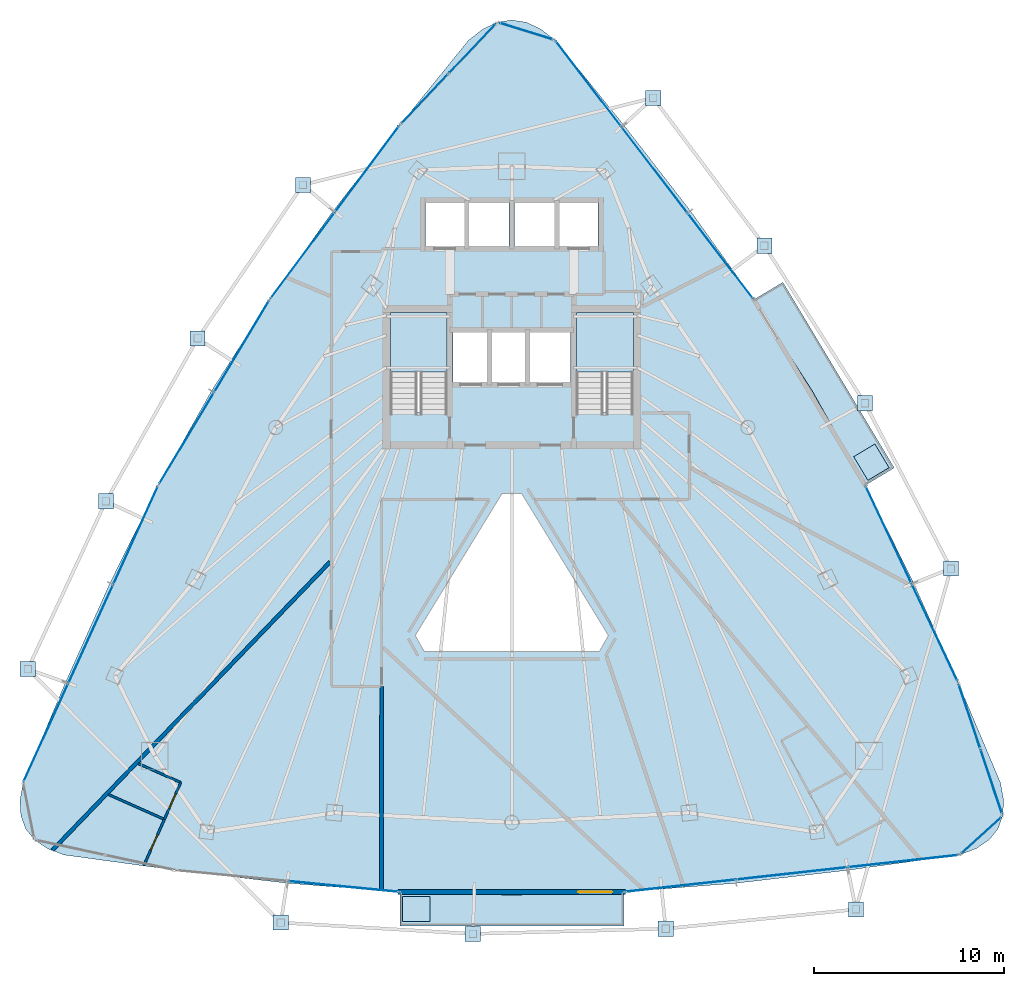
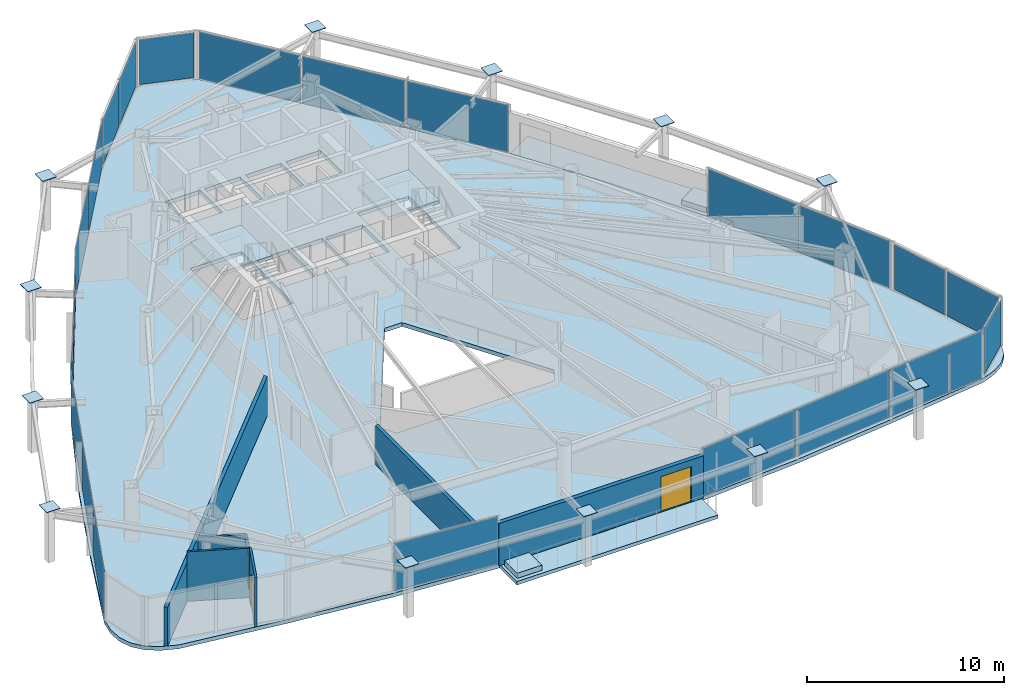
# One storey, part 26 of 31: 34 plates, 7 slabs, 7 walls, 3 doors, 3 openings, 13 elements without a shape of their own.
"""IFC4 building model written with IfcOpenShell, lengths in metres."""

from ifc_helpers import new_model, si_unit, direction, frame, frame_2d, origin, origin_2d, place, context, subcontext, project, spatial, polyline, rectangle, outline, extrude, material, layer, layer_set, type_object, element, fill, aggregate, save


model = new_model("IFC4")

# Units and contexts
model_context = context("Model", 3, precision=1e-05, world=origin(), true_north=direction((0.0, 1.0)))
body_context = subcontext(model_context, "Body", "Model", "MODEL_VIEW")
ifc_project = project(units=[si_unit("LENGTHUNIT", "METRE"), si_unit("AREAUNIT", "SQUARE_METRE"), si_unit("VOLUMEUNIT", "CUBIC_METRE"), si_unit("PLANEANGLEUNIT", "RADIAN"), si_unit("MASSUNIT", "GRAM", prefix="KILO")], contexts=[model_context])

# Site, building, storey
site_placement = place(None, origin())
site = spatial("IfcSite", under=ifc_project, at=site_placement, CompositionType="ELEMENT")
building_placement = place(site_placement, origin())
building = spatial("IfcBuilding", under=site, at=building_placement, Name="Orvanel Arch Residences", CompositionType="ELEMENT")
storey_placement = place(building_placement, frame((0.0, 0.0, 133.10009765625)))
storey = spatial("IfcBuildingStorey", under=building, at=storey_placement, Name="L37", CompositionType="ELEMENT", Elevation=133.10009765625)

# Plates
ifc_material_1 = material(Name="Structural steel AS/NZS 3678 Grade 350", Category="steel")
ifc_layer_1 = layer(ifc_material_1, 0.031982421875)
ifc_layer_set_1 = layer_set([ifc_layer_1], Name="Structural steel AS/NZS 3678 Grade 350")
plate_type_1 = type_object("IfcPlateType", Name="PL-CAP-32", PredefinedType="SHEET", material=ifc_layer_set_1)
for number, where, z_axis, x_axis, name in (
    (1, (21.998046875, 40.4140625, 3.28369140625), (0.0, 0.0, 1.0), (1.0, 0.0, 0.0), "L37 hollow member end cap plate"),
    (2, (16.455078125, 32.325927734375, 3.28369140625), (0.0, 0.0, 1.0), (1.0, 0.0, 0.0), "L37 hollow member end cap plate"),
    (3, (11.6279296875, 23.751953125, 3.28369140625), (0.0, 0.0, 1.0), (1.0, 0.0, 0.0), "L37 hollow member end cap plate"),
    (4, (7.51708984375, 14.9189453125, 3.28369140625), (0.0, 0.0, 1.0), (1.0, 0.0, 0.0), "L37 hollow member end cap plate"),
    (5, (20.8359375, 1.572021484375, 3.28369140625), (0.0, 0.0, 1.0), (1.0, 0.0, 0.0), "L37 hollow member end cap plate"),
    (6, (30.946044921875, 0.97900390625, 3.28369140625), (0.0, 0.0, 1.0), (1.0, 0.0, 0.0), "L37 hollow member end cap plate"),
    (7, (41.10205078125, 1.25, 3.28369140625), (0.0, 0.0, 1.0), (1.0, 0.0, 0.0), "L37 hollow member end cap plate"),
    (8, (51.116943359375, 2.26708984375, 3.28369140625), (0.0, 0.0, 1.0), (1.0, 0.0, 0.0), "L37 hollow member end cap plate"),
    (9, (56.117919921875, 20.215087890625, 3.28369140625), (0.0, 0.0, 1.0), (1.0, 0.0, 0.0), "L37 hollow member end cap plate"),
    (10, (51.592041015625, 28.9140625, 3.28369140625), (0.0, 0.0, 1.0), (1.0, 0.0, 0.0), "L37 hollow member end cap plate"),
    (11, (46.300048828125, 37.208984375, 3.28369140625), (0.0, 0.0, 1.0), (1.0, 0.0, 0.0), "L37 hollow member end cap plate"),
    (12, (40.443115234375, 44.9951171875, 3.28369140625), (0.0, 0.0, 1.0), (1.0, 0.0, 0.0), "L37 hollow member end cap plate"),
):
    element("IfcPlate", number, at=place(storey_placement, frame(where, z_axis=z_axis, x_axis=x_axis)), inside=storey, type_object=plate_type_1, Name=name, PredefinedType="SHEET", context=body_context, shape_type="SweptSolid", body=[
        extrude(rectangle(XDim=0.800048828125, YDim=0.800048828125, at=origin_2d()), origin(), (0.0, 0.0, 1.0), 0.031982421875),
    ])

# Curtain wall, plates
ifc_material_2 = material(Name="Bronze-anodised aluminium AA6063-T6", Category="aluminium")
ifc_layer_2 = layer(ifc_material_2, 0.179931640625)
ifc_layer_set_2 = layer_set([ifc_layer_2], Name="Bronze-anodised aluminium AA6063-T6")
curtain_wall_type_1 = type_object("IfcCurtainWallType", Name="CW3-MID-SYS", PredefinedType="NOTDEFINED", material=ifc_layer_set_2)
curtain_wall_1_placement = place(storey_placement, origin())
curtain_wall_1 = element("IfcCurtainWall", 13, at=curtain_wall_1_placement, inside=storey, type_object=curtain_wall_type_1, Name="L37 CW3-MID-SYS Unitised Curtain Wall", PredefinedType="NOTDEFINED")
ifc_material_3 = material(Name="Double-glazed solar-control low-E safety glass", Category="glass")
ifc_layer_3 = layer(ifc_material_3, 0.028076171875)
ifc_layer_set_3 = layer_set([ifc_layer_3], Name="Double-glazed solar-control low-E safety glass")
plate_type_2 = type_object("IfcPlateType", Name="PNL-GLZ-28", PredefinedType="CURTAIN_PANEL", material=ifc_layer_set_3)
plate_1_placement = place(storey_placement, frame((25.369873046875, 41.240478515625, 0.059814453125), z_axis=(0.0, 0.0, 1.0), x_axis=(-0.597389640291, -0.801951131724, 0.0)))
plate_1 = element("IfcPlate", 14, at=plate_1_placement, type_object=plate_type_2, Name="CW-S3 panel 1.1", PredefinedType="CURTAIN_PANEL", context=body_context, shape_type="SweptSolid", body=[
    extrude(rectangle(XDim=5.602294921875, YDim=0.028076171875, at=origin_2d()), origin(), (0.0, 0.0, 1.0), 2.93994140625),
])
plate_2_placement = place(storey_placement, frame((21.981201171875, 36.691650390625, 0.059814453125), z_axis=(0.0, 0.0, 1.0), x_axis=(-0.597389640291, -0.801951131724, 0.0)))
plate_2 = element("IfcPlate", 15, at=plate_2_placement, type_object=plate_type_2, Name="CW-S3 panel 2.1", PredefinedType="CURTAIN_PANEL", context=body_context, shape_type="SweptSolid", body=[
    extrude(rectangle(XDim=5.602294921875, YDim=0.028076171875, at=origin_2d()), origin(), (0.0, 0.0, 1.0), 2.93994140625),
])
aggregate(curtain_wall_1, [plate_1, plate_2])

curtain_wall_2_placement = place(storey_placement, origin())
curtain_wall_2 = element("IfcCurtainWall", 16, at=curtain_wall_2_placement, inside=storey, type_object=curtain_wall_type_1, Name="L37 CW3-MID-SYS Unitised Curtain Wall", PredefinedType="NOTDEFINED")
plate_3_placement = place(storey_placement, frame((18.774169921875, 31.906005859375, 0.059814453125), z_axis=(0.0, 0.0, 1.0), x_axis=(-0.514431016991, -0.857531765451, 0.0)))
plate_3 = element("IfcPlate", 17, at=plate_3_placement, type_object=plate_type_2, Name="CW-S3 panel 1.1", PredefinedType="CURTAIN_PANEL", context=body_context, shape_type="SweptSolid", body=[
    extrude(rectangle(XDim=5.573974609375, YDim=0.028076171875, at=origin_2d()), origin(), (0.0, 0.0, 1.0), 2.93994140625),
])
plate_4_placement = place(storey_placement, frame((15.870849609375, 27.06591796875, 0.059814453125), z_axis=(0.0, 0.0, 1.0), x_axis=(-0.514431016991, -0.857531765451, 0.0)))
plate_4 = element("IfcPlate", 18, at=plate_4_placement, type_object=plate_type_2, Name="CW-S3 panel 2.1", PredefinedType="CURTAIN_PANEL", context=body_context, shape_type="SweptSolid", body=[
    extrude(rectangle(XDim=5.573974609375, YDim=0.028076171875, at=origin_2d()), origin(), (0.0, 0.0, 1.0), 2.93994140625),
])
aggregate(curtain_wall_2, [plate_3, plate_4])

curtain_wall_3_placement = place(storey_placement, origin())
curtain_wall_3 = element("IfcCurtainWall", 19, at=curtain_wall_3_placement, inside=storey, type_object=curtain_wall_type_1, Name="L37 CW3-MID-SYS Unitised Curtain Wall", PredefinedType="NOTDEFINED")
plate_5_placement = place(storey_placement, frame((13.19140625, 21.960205078125, 0.059814453125), z_axis=(0.0, 0.0, 1.0), x_axis=(-0.413895098306, -0.91032458365, 0.0)))
plate_5 = element("IfcPlate", 20, at=plate_5_placement, type_object=plate_type_2, Name="CW-S3 panel 1.1", PredefinedType="CURTAIN_PANEL", context=body_context, shape_type="SweptSolid", body=[
    extrude(rectangle(XDim=5.617919921875, YDim=0.028076171875, at=origin_2d()), origin(), (0.0, 0.0, 1.0), 2.93994140625),
])
plate_6_placement = place(storey_placement, frame((10.830078125, 16.7666015625, 0.059814453125), z_axis=(0.0, 0.0, 1.0), x_axis=(-0.413895098306, -0.91032458365, 0.0)))
plate_6 = element("IfcPlate", 21, at=plate_6_placement, type_object=plate_type_2, Name="CW-S3 panel 2.1", PredefinedType="CURTAIN_PANEL", context=body_context, shape_type="SweptSolid", body=[
    extrude(rectangle(XDim=5.65283203125, YDim=0.028076171875, at=origin_2d()), origin(), (0.0, 0.0, 1.0), 2.93994140625),
])
plate_7_placement = place(storey_placement, frame((8.468505859375, 11.57275390625, 0.059814453125), z_axis=(0.0, 0.0, 1.0), x_axis=(-0.413895098306, -0.91032458365, 0.0)))
plate_7 = element("IfcPlate", 22, at=plate_7_placement, type_object=plate_type_2, Name="CW-S3 panel 3.1", PredefinedType="CURTAIN_PANEL", context=body_context, shape_type="SweptSolid", body=[
    extrude(rectangle(XDim=5.617919921875, YDim=0.028076171875, at=origin_2d()), origin(), (0.0, 0.0, 1.0), 2.93994140625),
])
aggregate(curtain_wall_3, [plate_5, plate_6, plate_7])

# Curtain wall, plate
curtain_wall_4_placement = place(storey_placement, origin())
curtain_wall_4 = element("IfcCurtainWall", 23, at=curtain_wall_4_placement, inside=storey, type_object=curtain_wall_type_1, Name="L37 CW3-MID-SYS Unitised Curtain Wall", PredefinedType="NOTDEFINED")
plate_8_placement = place(storey_placement, frame((24.13037109375, 3.47314453125, 0.059814453125), z_axis=(0.0, 0.0, 1.0), x_axis=(0.995341887649, -0.096408125648, 0.0)))
plate_8 = element("IfcPlate", 24, at=plate_8_placement, type_object=plate_type_2, Name="CW-S3 panel 2.1", PredefinedType="CURTAIN_PANEL", context=body_context, shape_type="SweptSolid", body=[
    extrude(rectangle(XDim=5.796875, YDim=0.028076171875, at=origin_2d()), origin(), (0.0, 0.0, 1.0), 2.93994140625),
])
aggregate(curtain_wall_4, [plate_8])

# Curtain wall, plates
curtain_wall_5_placement = place(storey_placement, origin())
curtain_wall_5 = element("IfcCurtainWall", 25, at=curtain_wall_5_placement, inside=storey, type_object=curtain_wall_type_1, Name="L37 CW3-MID-SYS Unitised Curtain Wall", PredefinedType="NOTDEFINED")
plate_9_placement = place(storey_placement, frame((41.873046875, 3.51318359375, 0.059814453125), z_axis=(0.0, 0.0, 1.0), x_axis=(0.993972721041, 0.109627687319, 0.0)))
plate_9 = element("IfcPlate", 26, at=plate_9_placement, type_object=plate_type_2, Name="CW-S3 panel 1.1", PredefinedType="CURTAIN_PANEL", context=body_context, shape_type="SweptSolid", body=[
    extrude(rectangle(XDim=5.81201171875, YDim=0.028076171875, at=origin_2d()), origin(), (0.0, 0.0, 1.0), 2.93994140625),
])
plate_10_placement = place(storey_placement, frame((47.737060546875, 4.159912109375, 0.059814453125), z_axis=(0.0, 0.0, 1.0), x_axis=(0.993972721041, 0.109627687319, 0.0)))
plate_10 = element("IfcPlate", 27, at=plate_10_placement, type_object=plate_type_2, Name="CW-S3 panel 2.1", PredefinedType="CURTAIN_PANEL", context=body_context, shape_type="SweptSolid", body=[
    extrude(rectangle(XDim=5.846923828125, YDim=0.028076171875, at=origin_2d()), origin(), (0.0, 0.0, 1.0), 2.93994140625),
])
plate_11_placement = place(storey_placement, frame((53.600830078125, 4.806640625, 0.059814453125), z_axis=(0.0, 0.0, 1.0), x_axis=(0.993972721041, 0.109627687319, 0.0)))
plate_11 = element("IfcPlate", 28, at=plate_11_placement, type_object=plate_type_2, Name="CW-S3 panel 3.1", PredefinedType="CURTAIN_PANEL", context=body_context, shape_type="SweptSolid", body=[
    extrude(rectangle(XDim=5.81201171875, YDim=0.028076171875, at=origin_2d()), origin(), (0.0, 0.0, 1.0), 2.93994140625),
])
aggregate(curtain_wall_5, [plate_9, plate_10, plate_11])

curtain_wall_6_placement = place(storey_placement, origin())
curtain_wall_6 = element("IfcCurtainWall", 29, at=curtain_wall_6_placement, inside=storey, type_object=curtain_wall_type_1, Name="L37 CW3-MID-SYS Unitised Curtain Wall", PredefinedType="NOTDEFINED")
plate_12_placement = place(storey_placement, frame((55.25927734375, 16.852294921875, 0.059814453125), z_axis=(0.0, 0.0, 1.0), x_axis=(-0.426206237326, 0.904626023981, 0.0)))
plate_12 = element("IfcPlate", 30, at=plate_12_placement, type_object=plate_type_2, Name="CW-S3 panel 1.1", PredefinedType="CURTAIN_PANEL", context=body_context, shape_type="SweptSolid", body=[
    extrude(rectangle(XDim=5.602294921875, YDim=0.028076171875, at=origin_2d()), origin(), (0.0, 0.0, 1.0), 2.93994140625),
])
plate_13_placement = place(storey_placement, frame((52.841796875, 21.983642578125, 0.059814453125), z_axis=(0.0, 0.0, 1.0), x_axis=(-0.426206237326, 0.904626023981, 0.0)))
plate_13 = element("IfcPlate", 31, at=plate_13_placement, type_object=plate_type_2, Name="CW-S3 panel 2.1", PredefinedType="CURTAIN_PANEL", context=body_context, shape_type="SweptSolid", body=[
    extrude(rectangle(XDim=5.602294921875, YDim=0.028076171875, at=origin_2d()), origin(), (0.0, 0.0, 1.0), 2.93994140625),
])
aggregate(curtain_wall_6, [plate_12, plate_13])

curtain_wall_7_placement = place(storey_placement, origin())
curtain_wall_7 = element("IfcCurtainWall", 32, at=curtain_wall_7_placement, inside=storey, type_object=curtain_wall_type_1, Name="L37 CW3-MID-SYS Unitised Curtain Wall", PredefinedType="NOTDEFINED")
plate_14_placement = place(storey_placement, frame((43.98291015625, 36.673828125, 0.059814453125), z_axis=(0.0, 0.0, 1.0), x_axis=(-0.608327589465, 0.793686048697, 0.0)))
plate_14 = element("IfcPlate", 33, at=plate_14_placement, type_object=plate_type_2, Name="CW-S3 panel 1.1", PredefinedType="CURTAIN_PANEL", context=body_context, shape_type="SweptSolid", body=[
    extrude(rectangle(XDim=5.6171875, YDim=0.028076171875, at=origin_2d()), origin(), (0.0, 0.0, 1.0), 2.93994140625),
])
plate_15_placement = place(storey_placement, frame((40.512451171875, 41.201416015625, 0.059814453125), z_axis=(0.0, 0.0, 1.0), x_axis=(-0.608327589465, 0.793686048697, 0.0)))
plate_15 = element("IfcPlate", 34, at=plate_15_placement, type_object=plate_type_2, Name="CW-S3 panel 2.1", PredefinedType="CURTAIN_PANEL", context=body_context, shape_type="SweptSolid", body=[
    extrude(rectangle(XDim=5.65234375, YDim=0.028076171875, at=origin_2d()), origin(), (0.0, 0.0, 1.0), 2.93994140625),
])
plate_16_placement = place(storey_placement, frame((37.042236328125, 45.729248046875, 0.059814453125), z_axis=(0.0, 0.0, 1.0), x_axis=(-0.608327589465, 0.793686048697, 0.0)))
plate_16 = element("IfcPlate", 35, at=plate_16_placement, type_object=plate_type_2, Name="CW-S3 panel 3.1", PredefinedType="CURTAIN_PANEL", context=body_context, shape_type="SweptSolid", body=[
    extrude(rectangle(XDim=5.6171875, YDim=0.028076171875, at=origin_2d()), origin(), (0.0, 0.0, 1.0), 2.93994140625),
])
aggregate(curtain_wall_7, [plate_14, plate_15, plate_16])

# Curtain wall, plate
ifc_layer_4 = layer(ifc_material_2, 0.18994140625)
ifc_layer_set_4 = layer_set([ifc_layer_4], Name="Bronze-anodised aluminium AA6063-T6")
curtain_wall_type_2 = type_object("IfcCurtainWallType", Name="CW5-CRN-SYS", PredefinedType="NOTDEFINED", material=ifc_layer_set_4)
curtain_wall_8_placement = place(storey_placement, origin())
curtain_wall_8 = element("IfcCurtainWall", 36, at=curtain_wall_8_placement, inside=storey, type_object=curtain_wall_type_2, Name="L37 CW5-CRN-SYS Unitised Curtain Wall", PredefinedType="NOTDEFINED")
ifc_layer_5 = layer(ifc_material_3, 0.031982421875)
ifc_layer_set_5 = layer_set([ifc_layer_5], Name="Double-glazed solar-control low-E safety glass")
plate_type_3 = type_object("IfcPlateType", Name="PNL-GLZ-32", PredefinedType="CURTAIN_PANEL", material=ifc_layer_set_5)
plate_17_placement = place(storey_placement, frame((33.759521484375, 48.5029296875, 0.1298828125), z_axis=(0.0, 0.0, 1.0), x_axis=(-0.954824681693, 0.297169694333, 0.0)))
plate_17 = element("IfcPlate", 37, at=plate_17_placement, type_object=plate_type_3, Name="CW-S5 panel 1.1", PredefinedType="CURTAIN_PANEL", context=body_context, shape_type="SweptSolid", body=[
    extrude(rectangle(XDim=2.843017578125, YDim=0.031982421875, at=origin_2d()), origin(), (0.0, 0.0, 1.0), 2.800048828125),
])
aggregate(curtain_wall_8, [plate_17])

# Curtain wall, plates
curtain_wall_9_placement = place(storey_placement, origin())
curtain_wall_9 = element("IfcCurtainWall", 38, at=curtain_wall_9_placement, inside=storey, type_object=curtain_wall_type_2, Name="L37 CW5-CRN-SYS Unitised Curtain Wall", PredefinedType="NOTDEFINED")
plate_18_placement = place(storey_placement, frame((30.92138671875, 47.587158203125, 0.1298828125), z_axis=(0.0, 0.0, 1.0), x_axis=(-0.688561931403, -0.725177541449, 0.0)))
plate_18 = element("IfcPlate", 39, at=plate_18_placement, type_object=plate_type_3, Name="CW-S5 panel 1.1", PredefinedType="CURTAIN_PANEL", context=body_context, shape_type="SweptSolid", body=[
    extrude(rectangle(XDim=3.4892578125, YDim=0.031982421875, at=origin_2d()), origin(), (0.0, 0.0, 1.0), 2.800048828125),
])
plate_19_placement = place(storey_placement, frame((28.41552734375, 44.947998046875, 0.1298828125), z_axis=(0.0, 0.0, 1.0), x_axis=(-0.688561931403, -0.725177541449, 0.0)))
plate_19 = element("IfcPlate", 40, at=plate_19_placement, type_object=plate_type_3, Name="CW-S5 panel 2.1", PredefinedType="CURTAIN_PANEL", context=body_context, shape_type="SweptSolid", body=[
    extrude(rectangle(XDim=3.4892578125, YDim=0.031982421875, at=origin_2d()), origin(), (0.0, 0.0, 1.0), 2.800048828125),
])
aggregate(curtain_wall_9, [plate_18, plate_19])

# Curtain wall, plate
curtain_wall_10_placement = place(storey_placement, origin())
curtain_wall_10 = element("IfcCurtainWall", 41, at=curtain_wall_10_placement, inside=storey, type_object=curtain_wall_type_2, Name="L37 CW5-CRN-SYS Unitised Curtain Wall", PredefinedType="NOTDEFINED")
plate_20_placement = place(storey_placement, frame((57.71337890625, 6.1650390625, 0.1298828125), z_axis=(0.0, 0.0, 1.0), x_axis=(0.740179363966, 0.672409480271, 0.0)))
plate_20 = element("IfcPlate", 42, at=plate_20_placement, type_object=plate_type_3, Name="CW-S5 panel 1.1", PredefinedType="CURTAIN_PANEL", context=body_context, shape_type="SweptSolid", body=[
    extrude(rectangle(XDim=2.724853515625, YDim=0.031982421875, at=origin_2d()), origin(), (0.0, 0.0, 1.0), 2.800048828125),
])
aggregate(curtain_wall_10, [plate_20])

# Curtain wall, plates
curtain_wall_11_placement = place(storey_placement, origin())
curtain_wall_11 = element("IfcCurtainWall", 43, at=curtain_wall_11_placement, inside=storey, type_object=curtain_wall_type_2, Name="L37 CW5-CRN-SYS Unitised Curtain Wall", PredefinedType="NOTDEFINED")
plate_21_placement = place(storey_placement, frame((58.244140625, 9.00048828125, 0.1298828125), z_axis=(0.0, 0.0, 1.0), x_axis=(-0.317364853099, 0.94830351155, 0.0)))
plate_21 = element("IfcPlate", 44, at=plate_21_placement, type_object=plate_type_3, Name="CW-S5 panel 1.1", PredefinedType="CURTAIN_PANEL", context=body_context, shape_type="SweptSolid", body=[
    extrude(rectangle(XDim=3.468017578125, YDim=0.031982421875, at=origin_2d()), origin(), (0.0, 0.0, 1.0), 2.800048828125),
])
plate_22_placement = place(storey_placement, frame((57.095947265625, 12.431396484375, 0.1298828125), z_axis=(0.0, 0.0, 1.0), x_axis=(-0.317364853099, 0.94830351155, 0.0)))
plate_22 = element("IfcPlate", 45, at=plate_22_placement, type_object=plate_type_3, Name="CW-S5 panel 2.1", PredefinedType="CURTAIN_PANEL", context=body_context, shape_type="SweptSolid", body=[
    extrude(rectangle(XDim=3.468017578125, YDim=0.031982421875, at=origin_2d()), origin(), (0.0, 0.0, 1.0), 2.800048828125),
])
aggregate(curtain_wall_11, [plate_21, plate_22])

# Slabs
ifc_material_4 = material(Name="Concrete N40 (40 MPa)", Category="concrete")
ifc_layer_6 = layer(ifc_material_4, 0.215087890625)
ifc_layer_set_6 = layer_set([ifc_layer_6], Name="Concrete N40 (40 MPa)")
slab_type_1 = type_object("IfcSlabType", Name="SLB-BAL-215", PredefinedType="FLOOR", material=ifc_layer_set_6)
slab_1_placement = place(storey_placement, frame((0.0, 0.0, -0.215087890625)))
element("IfcSlab", 46, at=slab_1_placement, inside=storey, type_object=slab_type_1, Name="L37 Cantilevered Balcony Slab Face 2", PredefinedType="FLOOR", context=body_context, shape_type="SweptSolid", body=[
    extrude(outline(polyline([(27.10498046875, 1.405029296875), (38.89501953125, 1.405029296875), (38.89501953125, 3.18505859375), (33.0, 3.02392578125), (27.10498046875, 3.18505859375), (27.10498046875, 1.405029296875)])), origin(), (0.0, 0.0, 1.0), 0.215087890625),
])
slab_2_placement = place(storey_placement, frame((0.0, 0.0, -0.215087890625)))
element("IfcSlab", 47, at=slab_2_placement, inside=storey, type_object=slab_type_1, Name="L37 Cantilevered Balcony Slab Face 3", PredefinedType="FLOOR", context=body_context, shape_type="SweptSolid", body=[
    extrude(outline(polyline([(53.135009765625, 25.513916015625), (47.27197265625, 35.2880859375), (45.74609375, 34.373046875), (48.81494140625, 29.568115234375), (51.60888671875, 24.59912109375), (53.135009765625, 25.513916015625)])), origin(), (0.0, 0.0, 1.0), 0.215087890625),
])

# Stair, slab
ifc_material_5 = material(Name="Precast concrete N50 (50 MPa)", Category="concrete")
stair_type = type_object("IfcStairType", Name="STR-DOG-184", PredefinedType="USERDEFINED", material=ifc_material_5)
stair_1_placement = place(storey_placement, origin())
stair_1 = element("IfcStair", 48, at=stair_1_placement, inside=storey, type_object=stair_type, Name="L37 Fire-Isolated Core Exit Stair 1", ObjectType="TWO_RETURN_STAIR", PredefinedType="USERDEFINED")
ifc_layer_7 = layer(ifc_material_4, 0.199951171875)
ifc_layer_set_7 = layer_set([ifc_layer_7], Name="Concrete N40 (40 MPa)")
slab_type_2 = type_object("IfcSlabType", Name="SLB-LND-200", PredefinedType="LANDING", material=ifc_layer_set_7)
slab_3_placement = place(storey_placement, frame((0.0, 0.0, 1.449951171875)))
slab_3 = element("IfcSlab", 49, at=slab_3_placement, type_object=slab_type_2, Name="ST-1 landing 1", PredefinedType="LANDING", context=body_context, shape_type="SweptSolid", body=[
    extrude(outline(polyline([(29.60009765625, 30.56005859375), (29.60009765625, 33.699951171875), (26.60009765625, 33.699951171875), (26.60009765625, 30.56005859375), (29.60009765625, 30.56005859375)])), origin(), (0.0, 0.0, 1.0), 0.199951171875),
])
aggregate(stair_1, [slab_3])

stair_2_placement = place(storey_placement, origin())
stair_2 = element("IfcStair", 50, at=stair_2_placement, inside=storey, type_object=stair_type, Name="L37 Fire-Isolated Core Exit Stair 2", ObjectType="TWO_RETURN_STAIR", PredefinedType="USERDEFINED")
slab_4_placement = place(storey_placement, frame((0.0, 0.0, 1.449951171875)))
slab_4 = element("IfcSlab", 51, at=slab_4_placement, type_object=slab_type_2, Name="ST-2 landing 1", PredefinedType="LANDING", context=body_context, shape_type="SweptSolid", body=[
    extrude(outline(polyline([(39.39990234375, 30.56005859375), (39.39990234375, 33.699951171875), (36.39990234375, 33.699951171875), (36.39990234375, 30.56005859375), (39.39990234375, 30.56005859375)])), origin(), (0.0, 0.0, 1.0), 0.199951171875),
])
aggregate(stair_2, [slab_4])

# Slabs
ifc_material_6 = material(Name="Structural architectural precast concrete N40 (40 MPa) planter", Category="concrete")
ifc_layer_8 = layer(ifc_material_6, 0.320068359375)
ifc_layer_set_8 = layer_set([ifc_layer_8], Name="Structural architectural precast concrete N40 (40 MPa) planter")
slab_type_3 = type_object("IfcSlabType", Name="SLB-PLN-320", PredefinedType="USERDEFINED", material=ifc_layer_set_8)
slab_5_placement = place(storey_placement, origin())
element("IfcSlab", 52, at=slab_5_placement, inside=storey, type_object=slab_type_3, Name="L37 Balcony TREE PLANTER Face 2", ObjectType="PLANTER", PredefinedType="USERDEFINED", context=body_context, shape_type="SweptSolid", body=[
    extrude(outline(polyline([(27.2548828125, 1.635009765625), (28.705078125, 1.635009765625), (28.705078125, 2.93505859375), (27.2548828125, 2.93505859375), (27.2548828125, 1.635009765625)])), origin(), (0.0, 0.0, 1.0), 0.31982421875),
])
slab_6_placement = place(storey_placement, origin())
element("IfcSlab", 53, at=slab_6_placement, inside=storey, type_object=slab_type_3, Name="L37 Balcony TREE PLANTER Face 3", ObjectType="PLANTER", PredefinedType="USERDEFINED", context=body_context, shape_type="SweptSolid", body=[
    extrude(outline(polyline([(52.861083984375, 25.52490234375), (52.114990234375, 26.76806640625), (51.0, 26.09912109375), (51.74609375, 24.85595703125), (52.861083984375, 25.52490234375)])), origin(), (0.0, 0.0, 1.0), 0.31982421875),
])
ifc_layer_9 = layer(ifc_material_4, 0.239990234375)
ifc_layer_set_9 = layer_set([ifc_layer_9], Name="Concrete N40 (40 MPa)")
slab_type_4 = type_object("IfcSlabType", Name="SLB-TYP-240", PredefinedType="FLOOR", material=ifc_layer_set_9)
slab_7_placement = place(storey_placement, frame((0.0, 0.0, -0.239990234375)))
element("IfcSlab", 54, at=slab_7_placement, inside=storey, type_object=slab_type_4, Name="L37 Tower Floor Slab", PredefinedType="FLOOR", context=body_context, shape_type="SweptSolid", body=[
    extrude(outline(polyline([(35.279052734375, 48.030029296875), (34.51904296875, 48.62109375), (33.760009765625, 48.97607421875), (33.0, 49.093994140625), (32.239990234375, 48.97607421875), (31.48095703125, 48.62109375), (30.720947265625, 48.030029296875), (27.096923828125, 43.55908203125), (23.577880859375, 39.02392578125), (20.25390625, 34.373046875), (17.18505859375, 29.568115234375), (14.39111328125, 24.59912109375), (11.85205078125, 19.47607421875), (9.508056640625, 14.237060546875), (7.26904296875, 8.93408203125), (7.10595703125, 8.006103515625), (7.152099609375, 7.195068359375), (7.406005859375, 6.5029296875), (7.868896484375, 5.928955078125), (8.5400390625, 5.472900390625), (9.4208984375, 5.135009765625), (15.31591796875, 4.326904296875), (21.2099609375, 3.64208984375), (27.10498046875, 3.18505859375), (33.0, 3.02392578125), (38.89501953125, 3.18505859375), (44.7900390625, 3.64208984375), (50.68408203125, 4.326904296875), (56.5791015625, 5.135009765625), (57.458984375, 5.472900390625), (58.131103515625, 5.928955078125), (58.593994140625, 6.5029296875), (58.847900390625, 7.195068359375), (58.89404296875, 8.006103515625), (58.72998046875, 8.93408203125), (56.491943359375, 14.237060546875), (54.14794921875, 19.47607421875), (51.60888671875, 24.59912109375), (48.81494140625, 29.568115234375), (45.74609375, 34.373046875), (42.422119140625, 39.02392578125), (38.903076171875, 43.55908203125), (35.279052734375, 48.030029296875)]), holes=[polyline([(26.60009765625, 28.429931640625), (26.60009765625, 33.699951171875), (29.60009765625, 33.699951171875), (29.60009765625, 28.429931640625), (26.60009765625, 28.429931640625)]), polyline([(36.39990234375, 28.429931640625), (36.39990234375, 33.699951171875), (39.39990234375, 33.699951171875), (39.39990234375, 28.429931640625), (36.39990234375, 28.429931640625)]), polyline([(29.89990234375, 32.64990234375), (31.75, 32.64990234375), (31.75, 29.949951171875), (29.89990234375, 29.949951171875), (29.89990234375, 32.64990234375)]), polyline([(31.89990234375, 32.64990234375), (33.75, 32.64990234375), (33.75, 29.949951171875), (31.89990234375, 29.949951171875), (31.89990234375, 32.64990234375)]), polyline([(33.89990234375, 32.64990234375), (36.10009765625, 32.64990234375), (36.10009765625, 29.949951171875), (33.89990234375, 29.949951171875), (33.89990234375, 32.64990234375)]), polyline([(28.449951171875, 39.449951171875), (30.5, 39.449951171875), (30.5, 37.199951171875), (28.449951171875, 37.199951171875), (28.449951171875, 39.449951171875)]), polyline([(35.5, 39.449951171875), (37.550048828125, 39.449951171875), (37.550048828125, 37.199951171875), (35.5, 37.199951171875), (35.5, 39.449951171875)]), polyline([(30.75, 39.449951171875), (32.85009765625, 39.449951171875), (32.85009765625, 37.199951171875), (30.75, 37.199951171875), (30.75, 39.449951171875)]), polyline([(33.14990234375, 39.449951171875), (35.25, 39.449951171875), (35.25, 37.199951171875), (33.14990234375, 37.199951171875), (33.14990234375, 39.449951171875)]), polyline([(38.0859375, 16.69189453125), (37.614013671875, 15.84912109375), (28.385986328125, 15.84912109375), (27.9140625, 16.69189453125), (32.485107421875, 24.1689453125), (33.514892578125, 24.1689453125), (38.0859375, 16.69189453125)])]), origin(), (0.0, 0.0, 1.0), 0.239990234375),
])

# Wall, opening, door
ifc_layer_10 = layer(ifc_material_5, 0.239990234375)
ifc_layer_set_10 = layer_set([ifc_layer_10], Name="Precast concrete N50 (50 MPa)")
wall_type_1 = type_object("IfcWallType", Name="EW-BAL-240", PredefinedType="SOLIDWALL", material=ifc_layer_set_10)
wall_1_placement = place(storey_placement, frame((27.007080078125, 3.18505859375, 0.0), z_axis=(0.0, 0.0, 1.0), x_axis=(1.0, 0.0, 0.0)))
wall_1 = element("IfcWall", 55, at=wall_1_placement, inside=storey, type_object=wall_type_1, Name="L37 Balcony Threshold Wall Face 2", PredefinedType="SOLIDWALL", context=body_context, shape_type="SweptSolid", body=[
    extrude(rectangle(XDim=11.98583984375, YDim=0.239990234375, at=frame_2d((5.992919921875, 0.0))), origin(), (0.0, 0.0, 1.0), 2.6240234375),
])
opening_1_placement = place(wall_1_placement, frame((9.488037109375, 0.0, 0.0)))
opening_1 = element("IfcOpeningElement", 56, at=opening_1_placement, cuts=wall_1, Name="Opening DB-180", PredefinedType="OPENING", context=body_context, shape_type="SweptSolid", body=[
    extrude(rectangle(XDim=1.800048828125, YDim=2.199951171875, at=frame_2d((0.89990234375, 1.10009765625))), frame((0.0, 0.1298828125, 0.0), z_axis=(0.0, -1.0, 0.0), x_axis=(1.0, 0.0, 0.0)), (0.0, 0.0, 1.0), 0.260009765625),
])
door_type_1 = type_object("IfcDoorType", Name="DR-BAL-1800", OperationType="NOTDEFINED", PredefinedType="DOOR", material=ifc_material_2)
door_1_placement = place(opening_1_placement, origin())
door_1 = element("IfcDoor", 57, at=door_1_placement, inside=storey, type_object=door_type_1, Name="DR-L37-BAL-F2 L37 Planted Balcony Access Door Face 2", OperationType="SINGLE_SWING_RIGHT", OverallHeight=2.199951171875, OverallWidth=1.800048828125, PredefinedType="DOOR", context=body_context, shape_type="SweptSolid", body=[
    extrude(rectangle(XDim=1.800048828125, YDim=2.199951171875, at=frame_2d((0.89990234375, 1.10009765625))), frame((0.0, 0.02490234375, 0.0), z_axis=(0.0, -1.0, 0.0), x_axis=(1.0, 0.0, 0.0)), (0.0, 0.0, 1.0), 0.050048828125),
])
fill(opening_1, door_1)

# Walls
ifc_material_7 = material(Name="Fire-rated plasterboard lined steel stud partition", Category="steel")
ifc_layer_11 = layer(ifc_material_7, 0.199951171875)
ifc_layer_set_11 = layer_set([ifc_layer_11], Name="Fire-rated plasterboard lined steel stud partition")
wall_type_2 = type_object("IfcWallType", Name="W-DEM-200", PredefinedType="PARTITIONING", material=ifc_layer_set_11)
wall_2_placement = place(storey_placement, frame((23.43994140625, 20.572021484375, 0.0), z_axis=(0.0, 0.0, 1.0), x_axis=(-0.693655036552, -0.720307358193, 0.0)))
element("IfcWall", 58, at=wall_2_placement, inside=storey, type_object=wall_type_2, Name="L37 Inter-Tenancy Acoustic Demising Wall", PredefinedType="PARTITIONING", context=body_context, shape_type="SweptSolid", body=[
    extrude(rectangle(XDim=21.086669921875, YDim=0.199951171875, at=frame_2d((10.54345703125, 0.0))), origin(), (0.0, 0.0, 1.0), 2.412841796875),
])
wall_3_placement = place(storey_placement, frame((26.14892578125, 14.0, 0.0), z_axis=(0.0, 0.0, 1.0), x_axis=(-0.001570678691, -0.999998766483, 0.0)))
element("IfcWall", 59, at=wall_3_placement, inside=storey, type_object=wall_type_2, Name="L37 Inter-Tenancy Acoustic Demising Wall", PredefinedType="PARTITIONING", context=body_context, shape_type="SweptSolid", body=[
    extrude(rectangle(XDim=10.72509765625, YDim=0.199951171875, at=frame_2d((5.362548828125, 0.0))), origin(), (0.0, 0.0, 1.0), 2.412841796875),
])

# Wall, opening, door
ifc_material_8 = material(Name="Acoustic plasterboard lined twin-stud partition", Category="gypsum")
ifc_layer_12 = layer(ifc_material_8, 0.1201171875)
ifc_layer_set_12 = layer_set([ifc_layer_12], Name="Acoustic plasterboard lined twin-stud partition")
wall_type_3 = type_object("IfcWallType", Name="W-WET-120", PredefinedType="PARTITIONING", material=ifc_layer_set_12)
wall_4_placement = place(storey_placement, frame((14.70703125, 7.009033203125, 0.0), z_axis=(0.0, 0.0, 1.0), x_axis=(0.406127806348, 0.913816286193, 0.0)))
wall_4 = element("IfcWall", 60, at=wall_4_placement, inside=storey, type_object=wall_type_3, Name="L37 Studio B Bathroom Partition", PredefinedType="PARTITIONING", context=body_context, shape_type="SweptSolid", body=[
    extrude(rectangle(XDim=2.125, YDim=0.1201171875, at=frame_2d((1.0625, 0.0))), origin(), (0.0, 0.0, 1.0), 2.412841796875),
])
opening_2_placement = place(wall_4_placement, frame((0.653076171875, 0.0, 0.0)))
opening_2 = element("IfcOpeningElement", 61, at=opening_2_placement, cuts=wall_4, Name="Opening DW-082", PredefinedType="OPENING", context=body_context, shape_type="SweptSolid", body=[
    extrude(rectangle(XDim=0.820068359375, YDim=2.10009765625, at=frame_2d((0.41015625, 1.050048828125))), frame((0.0, 0.070068359375, 0.0), z_axis=(0.0, -1.0, 0.0), x_axis=(1.0, 0.0, 0.0)), (0.0, 0.0, 1.0), 0.14013671875),
])
ifc_material_9 = material(Name="Solid-core European oak veneer fire door leaf", Category="wood")
door_type_2 = type_object("IfcDoorType", Name="DR-WET-820", OperationType="NOTDEFINED", PredefinedType="DOOR", material=ifc_material_9)
door_2_placement = place(opening_2_placement, origin())
door_2 = element("IfcDoor", 62, at=door_2_placement, inside=storey, type_object=door_type_2, Name="DR-L37-B-BATH L37 Studio B Bathroom Door", OperationType="SINGLE_SWING_RIGHT", OverallHeight=2.10009765625, OverallWidth=0.820068359375, PredefinedType="DOOR", context=body_context, shape_type="SweptSolid", body=[
    extrude(rectangle(XDim=0.820068359375, YDim=2.10009765625, at=frame_2d((0.41015625, 1.050048828125))), frame((0.0, 0.02490234375, 0.0), z_axis=(0.0, -1.0, 0.0), x_axis=(1.0, 0.0, 0.0)), (0.0, 0.0, 1.0), 0.050048828125),
])
fill(opening_2, door_2)

# Wall
wall_5_placement = place(storey_placement, frame((15.570068359375, 8.950927734375, 0.0), z_axis=(0.0, 0.0, 1.0), x_axis=(-0.91379514288, 0.406175376961, 0.0)))
element("IfcWall", 63, at=wall_5_placement, inside=storey, type_object=wall_type_3, Name="L37 Studio B Bathroom Partition", PredefinedType="PARTITIONING", context=body_context, shape_type="SweptSolid", body=[
    extrude(rectangle(XDim=2.454833984375, YDim=0.1201171875, at=frame_2d((1.2275390625, 0.0))), origin(), (0.0, 0.0, 1.0), 2.412841796875),
])

# Wall, opening, door
wall_6_placement = place(storey_placement, frame((13.625, 4.573974609375, 0.0), z_axis=(0.0, 0.0, 1.0), x_axis=(0.406070456553, 0.913841772034, 0.0)))
wall_6 = element("IfcWall", 64, at=wall_6_placement, inside=storey, type_object=wall_type_3, Name="L37 Studio B Internal Partition", PredefinedType="PARTITIONING", context=body_context, shape_type="SweptSolid", body=[
    extrude(rectangle(XDim=2.66455078125, YDim=0.1201171875, at=frame_2d((1.332275390625, 0.0))), origin(), (0.0, 0.0, 1.0), 3.059814453125),
])
opening_3_placement = place(wall_6_placement, frame((0.89208984375, 0.0, 0.0)))
opening_3 = element("IfcOpeningElement", 65, at=opening_3_placement, cuts=wall_6, Name="Opening DI-088", PredefinedType="OPENING", context=body_context, shape_type="SweptSolid", body=[
    extrude(rectangle(XDim=0.8798828125, YDim=2.10009765625, at=frame_2d((0.43994140625, 1.050048828125))), frame((0.0, 0.070068359375, 0.0), z_axis=(0.0, -1.0, 0.0), x_axis=(1.0, 0.0, 0.0)), (0.0, 0.0, 1.0), 0.14013671875),
])
door_type_3 = type_object("IfcDoorType", Name="DR-INT-880", OperationType="NOTDEFINED", PredefinedType="DOOR", material=ifc_material_9)
door_3_placement = place(opening_3_placement, origin())
door_3 = element("IfcDoor", 66, at=door_3_placement, inside=storey, type_object=door_type_3, Name="DR-L37-B-KIT L37 Studio B Kitchenette Door", OperationType="SINGLE_SWING_LEFT", OverallHeight=2.10009765625, OverallWidth=0.8798828125, PredefinedType="DOOR", context=body_context, shape_type="SweptSolid", body=[
    extrude(rectangle(XDim=0.8798828125, YDim=2.10009765625, at=frame_2d((0.43994140625, 1.050048828125))), frame((0.0, 0.02490234375, 0.0), z_axis=(0.0, -1.0, 0.0), x_axis=(1.0, 0.0, 0.0)), (0.0, 0.0, 1.0), 0.050048828125),
])
fill(opening_3, door_3)

# Wall
wall_7_placement = place(storey_placement, frame((14.70703125, 7.009033203125, 0.0), z_axis=(0.0, 0.0, 1.0), x_axis=(-0.913880174296, 0.40598402312, 0.0)))
element("IfcWall", 67, at=wall_7_placement, inside=storey, type_object=wall_type_3, Name="L37 Studio B Bathroom Partition", PredefinedType="PARTITIONING", context=body_context, shape_type="SweptSolid", body=[
    extrude(rectangle(XDim=3.226806640625, YDim=0.1201171875, at=frame_2d((1.61328125, 0.0))), origin(), (0.0, 0.0, 1.0), 3.059814453125),
])

save(model, "model.ifc")
